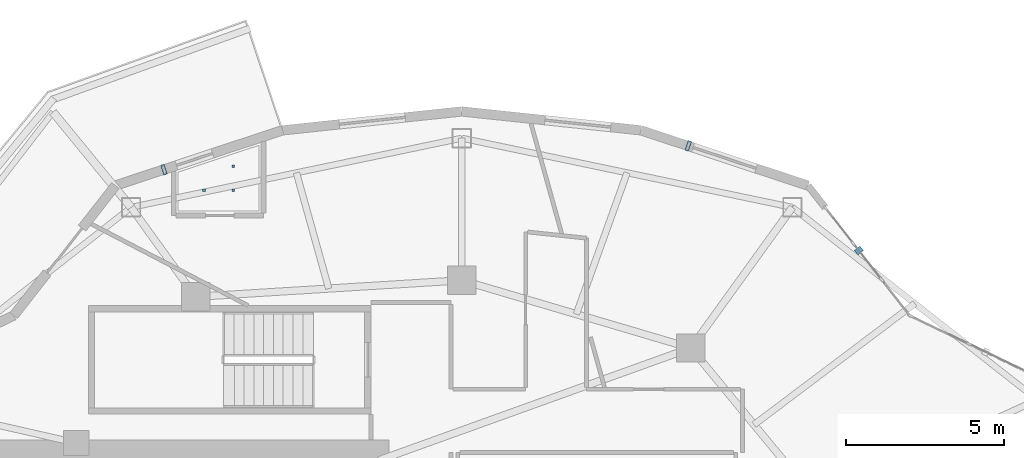
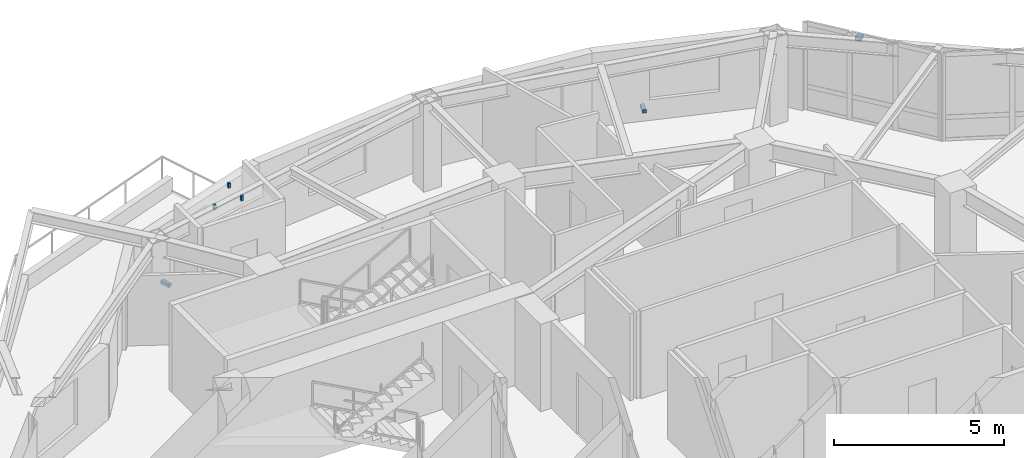
# One storey, part 14 of 19: 6 discrete accessories.
"""IFC4 building model written with IfcOpenShell, lengths in metres."""

from ifc_helpers import new_model, si_unit, direction, frame, origin, origin_2d, place, context, subcontext, project, spatial, rectangle, extrude, material, type_object, element, save


model = new_model("IFC4")

# Units and contexts
model_context = context("Model", 3, precision=1e-05, world=origin(), true_north=direction((0.0, 1.0)))
body_context = subcontext(model_context, "Body", "Model", "MODEL_VIEW")
ifc_project = project(units=[si_unit("LENGTHUNIT", "METRE"), si_unit("AREAUNIT", "SQUARE_METRE"), si_unit("VOLUMEUNIT", "CUBIC_METRE"), si_unit("PLANEANGLEUNIT", "RADIAN"), si_unit("MASSUNIT", "GRAM", prefix="KILO")], contexts=[model_context])

# Site, building, storey
site_placement = place(None, origin())
site = spatial("IfcSite", under=ifc_project, at=site_placement, CompositionType="ELEMENT")
building_placement = place(site_placement, origin())
building = spatial("IfcBuilding", under=site, at=building_placement, Name="Kolvaren Gate Tower and Convention Centre", CompositionType="ELEMENT")
storey_placement = place(building_placement, frame((0.0, 0.0, 169.89990234375)))
storey = spatial("IfcBuildingStorey", under=building, at=storey_placement, Name="L44", CompositionType="ELEMENT", Elevation=169.89990234375)

# Discrete accessories
ifc_material_1 = material(Name="Anodized Architectural Aluminium Alloy 6063-T6", Category="aluminium")
discrete_accessory_type_1 = type_object("IfcDiscreteAccessoryType", Name="ARCH-ACC-BRACKET-120", PredefinedType="BRACKET", material=ifc_material_1)
discrete_accessory_placement = place(storey_placement, frame((42.70361328125, 40.142333984375, 2.949951171875), z_axis=(0.0, 0.0, 1.0), x_axis=(0.616434119112, -0.787406487651, 0.0)))
element("IfcDiscreteAccessory", 1, at=discrete_accessory_placement, inside=storey, type_object=discrete_accessory_type_1, Name="Solar Screen Spandrel Anchor Bracket BK-L44-03", PredefinedType="BRACKET", context=body_context, shape_type="SweptSolid", body=[
    extrude(rectangle(XDim=0.179931640625, YDim=0.219970703125, at=origin_2d()), origin(), (0.0, 0.0, 1.0), 0.1201171875),
])
for number, where, z_axis, x_axis, name in (
    (2, (37.2998046875, 43.455810546875, 0.2900390625), (0.0, 0.0, 1.0), (0.949239532616, -0.314554144335, 0.0), "Ceramic Fin Wall Anchor Bracket FBK-L44-04"),
    (3, (20.694091796875, 42.708251953125, 0.2900390625), (0.0, 0.0, 1.0), (0.949237885602, 0.314559114537, 0.0), "Ceramic Fin Wall Anchor Bracket FBK-L44-07"),
):
    element("IfcDiscreteAccessory", number, at=place(storey_placement, frame(where, z_axis=z_axis, x_axis=x_axis)), inside=storey, type_object=discrete_accessory_type_1, Name=name, PredefinedType="BRACKET", context=body_context, shape_type="SweptSolid", body=[
        extrude(rectangle(XDim=0.1201171875, YDim=0.320068359375, at=origin_2d()), origin(), (0.0, 0.0, 1.0), 0.1201171875),
    ])
ifc_material_2 = material(Name="Brushed Stainless Steel Grade 316L", Category="steel")
discrete_accessory_type_2 = type_object("IfcDiscreteAccessoryType", Name="ARCH-ACC-HANGER-80", PredefinedType="BRACKET", material=ifc_material_2)
for number, where, z_axis, x_axis, name in (
    (4, (21.9619140625, 42.05810546875, 2.9501953125), (0.0, 0.0, 1.0), (1.0, 0.0, 0.0), "En-suite Bathroom (HTL-L44-06) Ceiling Suspension Hanger Clip 1"),
    (5, (22.887939453125, 42.05810546875, 2.9501953125), (0.0, 0.0, 1.0), (1.0, 0.0, 0.0), "En-suite Bathroom (HTL-L44-06) Ceiling Suspension Hanger Clip 2"),
    (6, (22.887939453125, 42.80908203125, 2.9501953125), (0.0, 0.0, 1.0), (1.0, 0.0, 0.0), "En-suite Bathroom (HTL-L44-06) Ceiling Suspension Hanger Clip 3"),
):
    element("IfcDiscreteAccessory", number, at=place(storey_placement, frame(where, z_axis=z_axis, x_axis=x_axis)), inside=storey, type_object=discrete_accessory_type_2, Name=name, PredefinedType="BRACKET", context=body_context, shape_type="SweptSolid", body=[
        extrude(rectangle(XDim=0.080078125, YDim=0.080078125, at=origin_2d()), origin(), (0.0, 0.0, 1.0), 0.179931640625),
    ])

save(model, "model.ifc")
